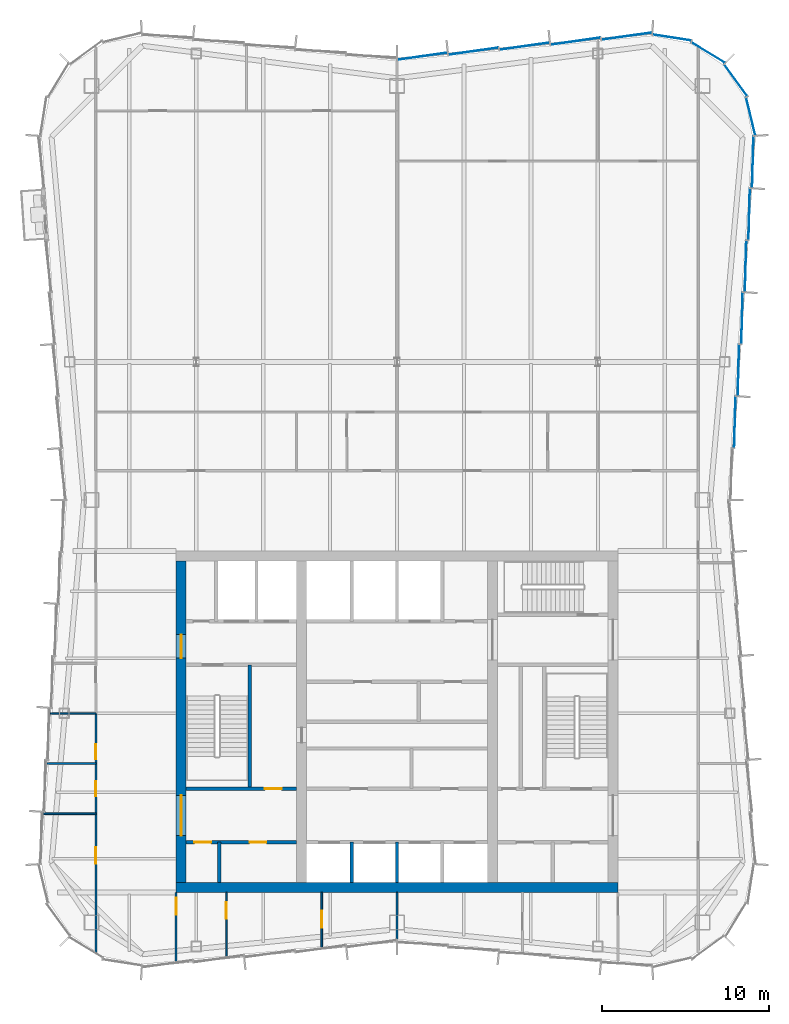
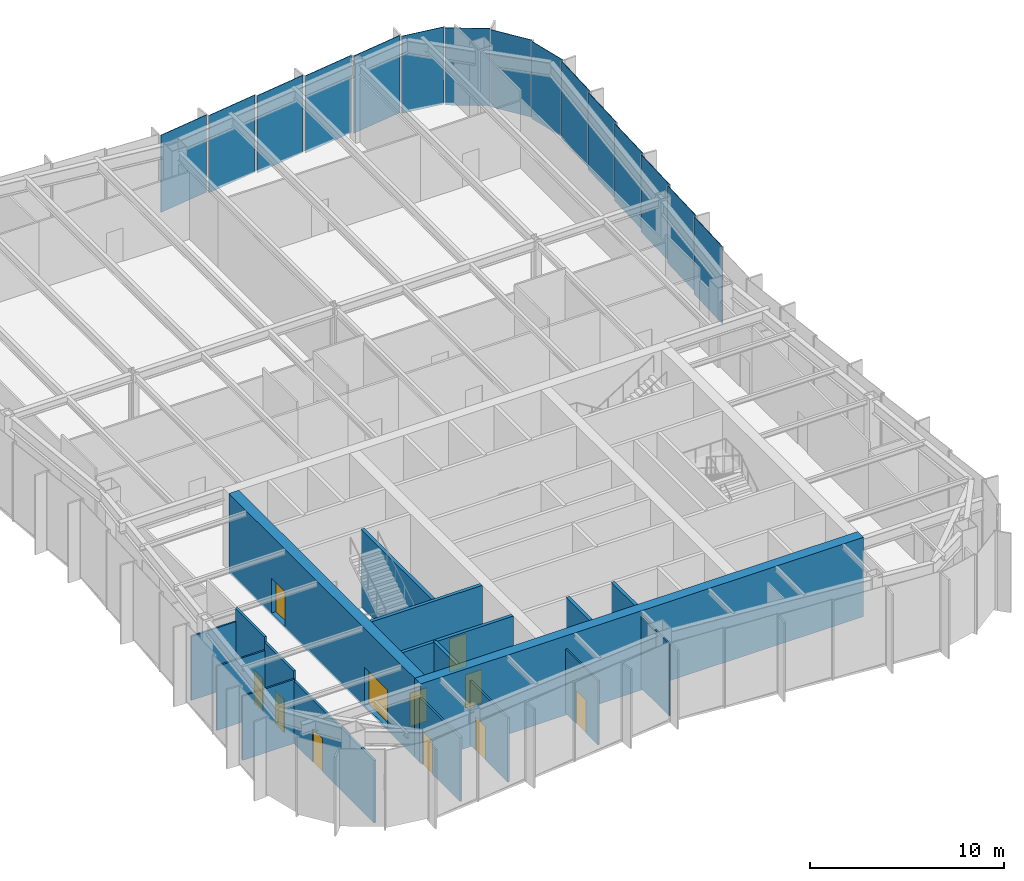
# One storey, part 9 of 14: 18 walls, 15 plates, 11 doors, 11 openings, 3 elements without a shape of their own.
"""IFC4 building model written with IfcOpenShell, lengths in metres."""

from ifc_helpers import new_model, si_unit, direction, frame, frame_2d, origin, origin_2d, place, context, subcontext, project, spatial, rectangle, extrude, material, layer, layer_set, type_object, element, fill, aggregate, save


model = new_model("IFC4")

# Units and contexts
model_context = context("Model", 3, precision=1e-05, world=origin(), true_north=direction((0.0, 1.0)))
body_context = subcontext(model_context, "Body", "Model", "MODEL_VIEW")
ifc_project = project(units=[si_unit("LENGTHUNIT", "METRE"), si_unit("AREAUNIT", "SQUARE_METRE"), si_unit("VOLUMEUNIT", "CUBIC_METRE"), si_unit("PLANEANGLEUNIT", "RADIAN"), si_unit("MASSUNIT", "GRAM", prefix="KILO")], contexts=[model_context])

# Site, building, storey
site_placement = place(None, origin())
site = spatial("IfcSite", under=ifc_project, at=site_placement, CompositionType="ELEMENT")
building_placement = place(site_placement, origin())
building = spatial("IfcBuilding", under=site, at=building_placement, Name="Verdant Reach Tower", CompositionType="ELEMENT")
storey_placement = place(building_placement, frame((0.0, 0.0, 289.0)))
storey = spatial("IfcBuildingStorey", under=building, at=storey_placement, Name="L66", CompositionType="ELEMENT", Elevation=289.0)

# Curtain wall, plates
ifc_material_1 = material(Name="Anodised aluminium", Category="aluminium")
curtain_wall_type = type_object("IfcCurtainWallType", Name="EN-CW SYSTEM Z5", PredefinedType="NOTDEFINED", material=ifc_material_1)
curtain_wall_1_placement = place(storey_placement, origin())
curtain_wall_1 = element("IfcCurtainWall", 1, at=curtain_wall_1_placement, inside=storey, type_object=curtain_wall_type, Name="Curtain wall east, L66", PredefinedType="NOTDEFINED")
ifc_material_2 = material(Name="Tinted glass with champagne spandrel", Category="glass")
ifc_layer_1 = layer(ifc_material_2, 0.031982421875)
ifc_layer_set_1 = layer_set([ifc_layer_1], Name="EN-PANEL CHAMPAGNE")
plate_type_1 = type_object("IfcPlateType", Name="EN-PANEL CHAMPAGNE", PredefinedType="CURTAIN_PANEL", material=ifc_layer_set_1)
plate_1_placement = place(storey_placement, frame((20.18603515625, 45.90283203125, -0.219970703125), z_axis=(0.0, 0.0, 1.0), x_axis=(0.026965318308, 0.999636369691, 0.0)))
plate_1 = element("IfcPlate", 2, at=plate_1_placement, type_object=plate_type_1, Name="Glass panel east face part 2 2.1, L66", PredefinedType="CURTAIN_PANEL", context=body_context, shape_type="SweptSolid", body=[
    extrude(rectangle(XDim=3.048583984375, YDim=0.031982421875, at=origin_2d()), origin(), (0.0, 0.0, 1.0), 4.8701171875),
])
plate_2_placement = place(storey_placement, frame((20.400390625, 49.010009765625, -0.219970703125), z_axis=(0.0, 0.0, 1.0), x_axis=(0.026965318308, 0.999636369691, 0.0)))
plate_2 = element("IfcPlate", 3, at=plate_2_placement, type_object=plate_type_1, Name="Glass panel east face part 2 3.1, L66", PredefinedType="CURTAIN_PANEL", context=body_context, shape_type="SweptSolid", body=[
    extrude(rectangle(XDim=3.048583984375, YDim=0.031982421875, at=origin_2d()), origin(), (0.0, 0.0, 1.0), 4.8701171875),
])
plate_3_placement = place(storey_placement, frame((20.61474609375, 52.1171875, -0.219970703125), z_axis=(0.0, 0.0, 1.0), x_axis=(0.026965318308, 0.999636369691, 0.0)))
plate_3 = element("IfcPlate", 4, at=plate_3_placement, type_object=plate_type_1, Name="Glass panel east face part 2 4.1, L66", PredefinedType="CURTAIN_PANEL", context=body_context, shape_type="SweptSolid", body=[
    extrude(rectangle(XDim=3.048583984375, YDim=0.031982421875, at=origin_2d()), origin(), (0.0, 0.0, 1.0), 4.8701171875),
])

curtain_wall_2_placement = place(storey_placement, origin())
curtain_wall_2 = element("IfcCurtainWall", 5, at=curtain_wall_2_placement, inside=storey, type_object=curtain_wall_type, Name="Curtain wall north-east corner, L66", PredefinedType="NOTDEFINED")
plate_4_placement = place(storey_placement, frame((21.132080078125, 64.173828125, -0.219970703125), z_axis=(0.0, 0.0, 1.0), x_axis=(-0.236471447122, 0.971638438256, 0.0)))
plate_4 = element("IfcPlate", 6, at=plate_4_placement, type_object=plate_type_1, Name="Glass panel north-east corner 1.1, L66", PredefinedType="CURTAIN_PANEL", context=body_context, shape_type="SweptSolid", body=[
    extrude(rectangle(XDim=2.312744140625, YDim=0.031982421875, at=origin_2d()), origin(), (0.0, 0.0, 1.0), 4.8701171875),
])
plate_5_placement = place(storey_placement, frame((20.23681640625, 66.33203125, -0.219970703125), z_axis=(0.0, 0.0, 1.0), x_axis=(-0.58992672698, 0.807456783236, 0.0)))
plate_5 = element("IfcPlate", 7, at=plate_5_placement, type_object=plate_type_1, Name="Glass panel north-east corner 2.1, L66", PredefinedType="CURTAIN_PANEL", context=body_context, shape_type="SweptSolid", body=[
    extrude(rectangle(XDim=2.320068359375, YDim=0.031982421875, at=origin_2d()), origin(), (0.0, 0.0, 1.0), 4.8701171875),
])

# Plate
ifc_material_3 = material(Name="Tinted glass with copper spandrel", Category="glass")
ifc_layer_2 = layer(ifc_material_3, 0.031982421875)
ifc_layer_set_2 = layer_set([ifc_layer_2], Name="EN-PANEL COPPER")
plate_type_2 = type_object("IfcPlateType", Name="EN-PANEL COPPER", PredefinedType="CURTAIN_PANEL", material=ifc_layer_set_2)
plate_6_placement = place(storey_placement, frame((20.8291015625, 55.22412109375, -0.219970703125), z_axis=(0.0, 0.0, 1.0), x_axis=(0.026965318308, 0.999636369691, 0.0)))
plate_6 = element("IfcPlate", 8, at=plate_6_placement, type_object=plate_type_2, Name="Glass panel east face part 2 5.1, L66", PredefinedType="CURTAIN_PANEL", context=body_context, shape_type="SweptSolid", body=[
    extrude(rectangle(XDim=3.048583984375, YDim=0.031982421875, at=origin_2d()), origin(), (0.0, 0.0, 1.0), 4.8701171875),
])

plate_7_placement = place(storey_placement, frame((21.043212890625, 58.331298828125, -0.219970703125), z_axis=(0.0, 0.0, 1.0), x_axis=(0.026965318308, 0.999636369691, 0.0)))
plate_7 = element("IfcPlate", 9, at=plate_7_placement, type_object=plate_type_2, Name="Glass panel east face part 2 6.1, L66", PredefinedType="CURTAIN_PANEL", context=body_context, shape_type="SweptSolid", body=[
    extrude(rectangle(XDim=3.048583984375, YDim=0.031982421875, at=origin_2d()), origin(), (0.0, 0.0, 1.0), 4.8701171875),
])

plate_8_placement = place(storey_placement, frame((18.58203125, 67.98681640625, -0.219970703125), z_axis=(0.0, 0.0, 1.0), x_axis=(-0.853988714885, 0.520291528711, 0.0)))
plate_8 = element("IfcPlate", 10, at=plate_8_placement, type_object=plate_type_2, Name="Glass panel north-east corner 3.1, L66", PredefinedType="CURTAIN_PANEL", context=body_context, shape_type="SweptSolid", body=[
    extrude(rectangle(XDim=2.320068359375, YDim=0.031982421875, at=origin_2d()), origin(), (0.0, 0.0, 1.0), 4.8701171875),
])

plate_9_placement = place(storey_placement, frame((16.4228515625, 68.88232421875, -0.219970703125), z_axis=(0.0, 0.0, 1.0), x_axis=(-0.988033409454, 0.154240013621, 0.0)))
plate_9 = element("IfcPlate", 11, at=plate_9_placement, type_object=plate_type_2, Name="Glass panel north-east corner 4.1, L66", PredefinedType="CURTAIN_PANEL", context=body_context, shape_type="SweptSolid", body=[
    extrude(rectangle(XDim=2.314453125, YDim=0.031982421875, at=origin_2d()), origin(), (0.0, 0.0, 1.0), 4.8701171875),
])

aggregate(curtain_wall_2, [plate_4, plate_5, plate_8, plate_9])

# Curtain wall, plates
curtain_wall_3_placement = place(storey_placement, origin())
curtain_wall_3 = element("IfcCurtainWall", 12, at=curtain_wall_3_placement, inside=storey, type_object=curtain_wall_type, Name="Curtain wall north, L66", PredefinedType="NOTDEFINED")
plate_10_placement = place(storey_placement, frame((13.72216796875, 68.964599609375, -0.219970703125), z_axis=(0.0, 0.0, 1.0), x_axis=(-0.990281521639, -0.139077345032, 0.0)))
plate_10 = element("IfcPlate", 13, at=plate_10_placement, type_object=plate_type_2, Name="Glass panel north face part 1 1.1, L66", PredefinedType="CURTAIN_PANEL", context=body_context, shape_type="SweptSolid", body=[
    extrude(rectangle(XDim=3.015625, YDim=0.031982421875, at=origin_2d()), origin(), (0.0, 0.0, 1.0), 4.8701171875),
])
plate_11_placement = place(storey_placement, frame((10.663818359375, 68.66455078125, -0.219970703125), z_axis=(0.0, 0.0, 1.0), x_axis=(-0.990225318365, -0.139476947446, 0.0)))
plate_11 = element("IfcPlate", 14, at=plate_11_placement, type_object=plate_type_2, Name="Glass panel north face part 1 2.1, L66", PredefinedType="CURTAIN_PANEL", context=body_context, shape_type="SweptSolid", body=[
    extrude(rectangle(XDim=2.998779296875, YDim=0.031982421875, at=origin_2d()), origin(), (0.0, 0.0, 1.0), 4.8701171875),
])
plate_12_placement = place(storey_placement, frame((7.61376953125, 68.364501953125, -0.219970703125), z_axis=(0.0, 0.0, 1.0), x_axis=(-0.990225318365, -0.139476947446, 0.0)))
plate_12 = element("IfcPlate", 15, at=plate_12_placement, type_object=plate_type_2, Name="Glass panel north face part 1 3.1, L66", PredefinedType="CURTAIN_PANEL", context=body_context, shape_type="SweptSolid", body=[
    extrude(rectangle(XDim=2.998779296875, YDim=0.031982421875, at=origin_2d()), origin(), (0.0, 0.0, 1.0), 4.8701171875),
])

# Plate
ifc_material_4 = material(Name="Tinted glass with dark bronze spandrel", Category="glass")
ifc_layer_3 = layer(ifc_material_4, 0.031982421875)
ifc_layer_set_3 = layer_set([ifc_layer_3], Name="EN-PANEL DARK")
plate_type_3 = type_object("IfcPlateType", Name="EN-PANEL DARK", PredefinedType="CURTAIN_PANEL", material=ifc_layer_set_3)
plate_13_placement = place(storey_placement, frame((21.257568359375, 61.446044921875, -0.219970703125), z_axis=(0.0, 0.0, 1.0), x_axis=(0.026642881595, 0.999645015423, 0.0)))
plate_13 = element("IfcPlate", 16, at=plate_13_placement, type_object=plate_type_3, Name="Glass panel east face part 2 7.1, L66", PredefinedType="CURTAIN_PANEL", context=body_context, shape_type="SweptSolid", body=[
    extrude(rectangle(XDim=3.063720703125, YDim=0.031982421875, at=origin_2d()), origin(), (0.0, 0.0, 1.0), 4.8701171875),
])

aggregate(curtain_wall_1, [plate_1, plate_2, plate_3, plate_6, plate_7, plate_13])

plate_14_placement = place(storey_placement, frame((4.563720703125, 68.064453125, -0.219970703125), z_axis=(0.0, 0.0, 1.0), x_axis=(-0.990225318365, -0.139476947446, 0.0)))
plate_14 = element("IfcPlate", 17, at=plate_14_placement, type_object=plate_type_3, Name="Glass panel north face part 1 4.1, L66", PredefinedType="CURTAIN_PANEL", context=body_context, shape_type="SweptSolid", body=[
    extrude(rectangle(XDim=2.998779296875, YDim=0.031982421875, at=origin_2d()), origin(), (0.0, 0.0, 1.0), 4.8701171875),
])

plate_15_placement = place(storey_placement, frame((1.519287109375, 67.7646484375, -0.219970703125), z_axis=(0.0, 0.0, 1.0), x_axis=(-0.990200074141, -0.139656053116, 0.0)))
plate_15 = element("IfcPlate", 18, at=plate_15_placement, type_object=plate_type_3, Name="Glass panel north face part 1 5.1, L66", PredefinedType="CURTAIN_PANEL", context=body_context, shape_type="SweptSolid", body=[
    extrude(rectangle(XDim=2.987548828125, YDim=0.031982421875, at=origin_2d()), origin(), (0.0, 0.0, 1.0), 4.8701171875),
])

aggregate(curtain_wall_3, [plate_10, plate_11, plate_12, plate_14, plate_15])

# Wall, openings, doors
ifc_material_5 = material(Name="Gypsum board on steel studs", Category="steel")
ifc_layer_4 = layer(ifc_material_5, 0.199951171875)
ifc_layer_set_4 = layer_set([ifc_layer_4], Name="CO-WALL-ROOM")
wall_type_1 = type_object("IfcWallType", Name="CO-WALL-ROOM", PredefinedType="PARTITIONING", material=ifc_layer_set_4)
wall_1_placement = place(storey_placement, frame((-12.60009765625, 20.800048828125, 0.0), z_axis=(0.0, 0.0, 1.0), x_axis=(1.0, 0.0, 0.0)))
wall_1 = element("IfcWall", 19, at=wall_1_placement, inside=storey, type_object=wall_type_1, Name="Core partition, L66", PredefinedType="PARTITIONING", context=body_context, shape_type="SweptSolid", body=[
    extrude(rectangle(XDim=6.60009765625, YDim=0.199951171875, at=frame_2d((3.300048828125, 0.0))), origin(), (0.0, 0.0, 1.0), 4.8701171875),
])
opening_1_placement = place(wall_1_placement, frame((0.489990234375, 0.0, 0.0)))
opening_1 = element("IfcOpeningElement", 20, at=opening_1_placement, cuts=wall_1, Name="Opening CD", PredefinedType="OPENING", context=body_context, shape_type="SweptSolid", body=[
    extrude(rectangle(XDim=1.0, YDim=2.10009765625, at=frame_2d((0.5, 1.050048828125))), frame((0.0, 0.10986328125, 0.0), z_axis=(0.0, -1.0, 0.0), x_axis=(1.0, 0.0, 0.0)), (0.0, 0.0, 1.0), 0.219970703125),
])
opening_2_placement = place(wall_1_placement, frame((3.7900390625, 0.0, 0.0)))
opening_2 = element("IfcOpeningElement", 21, at=opening_2_placement, cuts=wall_1, Name="Opening CD", PredefinedType="OPENING", context=body_context, shape_type="SweptSolid", body=[
    extrude(rectangle(XDim=1.0, YDim=2.10009765625, at=frame_2d((0.5, 1.050048828125))), frame((0.0, 0.10986328125, 0.0), z_axis=(0.0, -1.0, 0.0), x_axis=(1.0, 0.0, 0.0)), (0.0, 0.0, 1.0), 0.219970703125),
])
ifc_material_6 = material(Name="Timber", Category="wood")
door_type_1 = type_object("IfcDoorType", Name="CO-DOOR-ROOM", OperationType="NOTDEFINED", PredefinedType="DOOR", material=ifc_material_6)
door_1_placement = place(opening_1_placement, origin())
door_1 = element("IfcDoor", 22, at=door_1_placement, inside=storey, type_object=door_type_1, Name="Core room door, L66", OperationType="SINGLE_SWING_RIGHT", OverallHeight=2.10009765625, OverallWidth=1.0, PredefinedType="DOOR", context=body_context, shape_type="SweptSolid", body=[
    extrude(rectangle(XDim=1.0, YDim=2.10009765625, at=frame_2d((0.5, 1.050048828125))), frame((0.0, 0.02490234375, 0.0), z_axis=(0.0, -1.0, 0.0), x_axis=(1.0, 0.0, 0.0)), (0.0, 0.0, 1.0), 0.050048828125),
])
fill(opening_1, door_1)
door_2_placement = place(opening_2_placement, origin())
door_2 = element("IfcDoor", 23, at=door_2_placement, inside=storey, type_object=door_type_1, Name="Core room door, L66", OperationType="SINGLE_SWING_RIGHT", OverallHeight=2.10009765625, OverallWidth=1.0, PredefinedType="DOOR", context=body_context, shape_type="SweptSolid", body=[
    extrude(rectangle(XDim=1.0, YDim=2.10009765625, at=frame_2d((0.5, 1.050048828125))), frame((0.0, 0.02490234375, 0.0), z_axis=(0.0, -1.0, 0.0), x_axis=(1.0, 0.0, 0.0)), (0.0, 0.0, 1.0), 0.050048828125),
])
fill(opening_2, door_2)

# Walls
wall_2_placement = place(storey_placement, frame((-10.6201171875, 18.39990234375, 0.0), z_axis=(0.0, 0.0, 1.0), x_axis=(0.0, 1.0, 0.0)))
element("IfcWall", 24, at=wall_2_placement, inside=storey, type_object=wall_type_1, Name="Core partition, L66", PredefinedType="PARTITIONING", context=body_context, shape_type="SweptSolid", body=[
    extrude(rectangle(XDim=2.400146484375, YDim=0.199951171875, at=frame_2d((1.2001953125, 0.0))), origin(), (0.0, 0.0, 1.0), 4.8701171875),
])
ifc_material_7 = material(Name="Concrete C40/50", Category="concrete")
ifc_layer_5 = layer(ifc_material_7, 0.199951171875)
ifc_layer_set_5 = layer_set([ifc_layer_5], Name="CO-WALL-SHAFT")
wall_type_2 = type_object("IfcWallType", Name="CO-WALL-SHAFT", PredefinedType="PARTITIONING", material=ifc_layer_set_5)
for number, where, z_axis, x_axis, name in (
    (25, (-2.699951171875, 18.39990234375, 0.0), (0.0, 0.0, 1.0), (0.0, 1.0, 0.0), "Lift shaft wall, L66"),
    (26, (0.0, 18.39990234375, 0.0), (0.0, 0.0, 1.0), (0.0, 1.0, 0.0), "Lift shaft wall, L66"),
):
    element("IfcWall", number, at=place(storey_placement, frame(where, z_axis=z_axis, x_axis=x_axis)), inside=storey, type_object=wall_type_2, Name=name, PredefinedType="PARTITIONING", context=body_context, shape_type="SweptSolid", body=[
        extrude(rectangle(XDim=2.400146484375, YDim=0.199951171875, at=frame_2d((1.2001953125, 0.0))), origin(), (0.0, 0.0, 1.0), 4.8701171875),
    ])

# Wall, opening, door
ifc_layer_6 = layer(ifc_material_7, 0.199951171875)
ifc_layer_set_6 = layer_set([ifc_layer_6], Name="CO-WALL-STAIR")
wall_type_3 = type_object("IfcWallType", Name="CO-WALL-STAIR", PredefinedType="PARTITIONING", material=ifc_layer_set_6)
wall_3_placement = place(storey_placement, frame((-12.60009765625, 24.0, 0.0), z_axis=(0.0, 0.0, 1.0), x_axis=(1.0, 0.0, 0.0)))
wall_3 = element("IfcWall", 27, at=wall_3_placement, inside=storey, type_object=wall_type_3, Name="Stair enclosure wall, L66", PredefinedType="PARTITIONING", context=body_context, shape_type="SweptSolid", body=[
    extrude(rectangle(XDim=6.60009765625, YDim=0.199951171875, at=frame_2d((3.300048828125, 0.0))), origin(), (0.0, 0.0, 1.0), 4.8701171875),
])
opening_3_placement = place(wall_3_placement, frame((4.699951171875, 0.0, 0.0)))
opening_3 = element("IfcOpeningElement", 28, at=opening_3_placement, cuts=wall_3, Name="Opening CD", PredefinedType="OPENING", context=body_context, shape_type="SweptSolid", body=[
    extrude(rectangle(XDim=1.0, YDim=2.10009765625, at=frame_2d((0.5, 1.050048828125))), frame((0.0, 0.10986328125, 0.0), z_axis=(0.0, -1.0, 0.0), x_axis=(1.0, 0.0, 0.0)), (0.0, 0.0, 1.0), 0.219970703125),
])
door_3_placement = place(opening_3_placement, origin())
door_3 = element("IfcDoor", 29, at=door_3_placement, inside=storey, type_object=door_type_1, Name="Core room door, L66", OperationType="SINGLE_SWING_RIGHT", OverallHeight=2.10009765625, OverallWidth=1.0, PredefinedType="DOOR", context=body_context, shape_type="SweptSolid", body=[
    extrude(rectangle(XDim=1.0, YDim=2.10009765625, at=frame_2d((0.5, 1.050048828125))), frame((0.0, 0.02490234375, 0.0), z_axis=(0.0, -1.0, 0.0), x_axis=(1.0, 0.0, 0.0)), (0.0, 0.0, 1.0), 0.050048828125),
])
fill(opening_3, door_3)

# Walls
wall_4_placement = place(storey_placement, frame((-8.800048828125, 24.0, 0.0), z_axis=(0.0, 0.0, 1.0), x_axis=(0.0, 1.0, 0.0)))
element("IfcWall", 30, at=wall_4_placement, inside=storey, type_object=wall_type_3, Name="Stair enclosure wall, L66", PredefinedType="PARTITIONING", context=body_context, shape_type="SweptSolid", body=[
    extrude(rectangle(XDim=7.39990234375, YDim=0.199951171875, at=frame_2d((3.699951171875, 0.0))), origin(), (0.0, 0.0, 1.0), 4.8701171875),
])
ifc_layer_7 = layer(ifc_material_5, 0.10009765625)
ifc_layer_set_7 = layer_set([ifc_layer_7], Name="FL-W1 Partition 100")
wall_type_4 = type_object("IfcWallType", Name="FL-W1 Partition 100", PredefinedType="PARTITIONING", material=ifc_layer_set_7)
wall_5_placement = place(storey_placement, frame((-18.0, 22.5, 0.0), z_axis=(0.0, 0.0, 1.0), x_axis=(-1.0, 0.0, 0.0)))
element("IfcWall", 31, at=wall_5_placement, inside=storey, type_object=wall_type_4, Name="Partition 66.17", PredefinedType="PARTITIONING", context=body_context, shape_type="SweptSolid", body=[
    extrude(rectangle(XDim=3.123046875, YDim=0.10009765625, at=frame_2d((1.5615234375, 0.0))), origin(), (0.0, 0.0, 1.0), 4.0400390625),
])
wall_6_placement = place(storey_placement, frame((-18.0, 25.5, 0.0), z_axis=(0.0, 0.0, 1.0), x_axis=(-1.0, 0.0, 0.0)))
element("IfcWall", 32, at=wall_6_placement, inside=storey, type_object=wall_type_4, Name="Partition 66.18", PredefinedType="PARTITIONING", context=body_context, shape_type="SweptSolid", body=[
    extrude(rectangle(XDim=2.916259765625, YDim=0.10009765625, at=frame_2d((1.4580078125, 0.0))), origin(), (0.0, 0.0, 1.0), 4.0400390625),
])
wall_7_placement = place(storey_placement, frame((-18.0, 28.5, 0.0), z_axis=(0.0, 0.0, 1.0), x_axis=(-1.0, 0.0, 0.0)))
element("IfcWall", 33, at=wall_7_placement, inside=storey, type_object=wall_type_4, Name="Partition 66.19", PredefinedType="PARTITIONING", context=body_context, shape_type="SweptSolid", body=[
    extrude(rectangle(XDim=2.709228515625, YDim=0.10009765625, at=frame_2d((1.3544921875, 0.0))), origin(), (0.0, 0.0, 1.0), 4.0400390625),
])

# Wall, opening, door
wall_8_placement = place(storey_placement, frame((-10.199951171875, 17.800048828125, 0.0), z_axis=(0.0, 0.0, 1.0), x_axis=(0.0, -1.0, 0.0)))
wall_8 = element("IfcWall", 34, at=wall_8_placement, inside=storey, type_object=wall_type_4, Name="Partition 66.29", PredefinedType="PARTITIONING", context=body_context, shape_type="SweptSolid", body=[
    extrude(rectangle(XDim=3.88330078125, YDim=0.10009765625, at=frame_2d((1.941650390625, 0.0))), origin(), (0.0, 0.0, 1.0), 4.0400390625),
])
opening_4_placement = place(wall_8_placement, frame((0.576416015625, 0.0, 0.0)))
opening_4 = element("IfcOpeningElement", 35, at=opening_4_placement, cuts=wall_8, Name="Opening D3", PredefinedType="OPENING", context=body_context, shape_type="SweptSolid", body=[
    extrude(rectangle(XDim=1.0, YDim=2.10009765625, at=frame_2d((0.5, 1.050048828125))), frame((0.0, 0.06005859375, 0.0), z_axis=(0.0, -1.0, 0.0), x_axis=(1.0, 0.0, 0.0)), (0.0, 0.0, 1.0), 0.1201171875),
])
ifc_material_8 = material(Name="Painted timber door leaf", Category="wood")
door_type_2 = type_object("IfcDoorType", Name="FL-D3 Door 1000x2100", OperationType="NOTDEFINED", PredefinedType="DOOR", material=ifc_material_8)
door_4_placement = place(opening_4_placement, origin())
door_4 = element("IfcDoor", 36, at=door_4_placement, inside=storey, type_object=door_type_2, Name="Door 66-015", OperationType="SINGLE_SWING_LEFT", OverallHeight=2.10009765625, OverallWidth=1.0, PredefinedType="DOOR", context=body_context, shape_type="SweptSolid", body=[
    extrude(rectangle(XDim=1.0, YDim=2.10009765625, at=frame_2d((0.5, 1.050048828125))), frame((0.0, 0.02490234375, 0.0), z_axis=(0.0, -1.0, 0.0), x_axis=(1.0, 0.0, 0.0)), (0.0, 0.0, 1.0), 0.050048828125),
])
fill(opening_4, door_4)

wall_9_placement = place(storey_placement, frame((-4.5, 17.800048828125, 0.0), z_axis=(0.0, 0.0, 1.0), x_axis=(0.0, -1.0, 0.0)))
wall_9 = element("IfcWall", 37, at=wall_9_placement, inside=storey, type_object=wall_type_4, Name="Partition 66.30", PredefinedType="PARTITIONING", context=body_context, shape_type="SweptSolid", body=[
    extrude(rectangle(XDim=3.32275390625, YDim=0.10009765625, at=frame_2d((1.661376953125, 0.0))), origin(), (0.0, 0.0, 1.0), 4.0400390625),
])
opening_5_placement = place(wall_9_placement, frame((1.09619140625, 0.0, 0.0)))
opening_5 = element("IfcOpeningElement", 38, at=opening_5_placement, cuts=wall_9, Name="Opening D3", PredefinedType="OPENING", context=body_context, shape_type="SweptSolid", body=[
    extrude(rectangle(XDim=1.0, YDim=2.10009765625, at=frame_2d((0.5, 1.050048828125))), frame((0.0, 0.06005859375, 0.0), z_axis=(0.0, -1.0, 0.0), x_axis=(1.0, 0.0, 0.0)), (0.0, 0.0, 1.0), 0.1201171875),
])
door_5_placement = place(opening_5_placement, origin())
door_5 = element("IfcDoor", 39, at=door_5_placement, inside=storey, type_object=door_type_2, Name="Door 66-016", OperationType="SINGLE_SWING_LEFT", OverallHeight=2.10009765625, OverallWidth=1.0, PredefinedType="DOOR", context=body_context, shape_type="SweptSolid", body=[
    extrude(rectangle(XDim=1.0, YDim=2.10009765625, at=frame_2d((0.5, 1.050048828125))), frame((0.0, 0.02490234375, 0.0), z_axis=(0.0, -1.0, 0.0), x_axis=(1.0, 0.0, 0.0)), (0.0, 0.0, 1.0), 0.050048828125),
])
fill(opening_5, door_5)

# Wall
wall_10_placement = place(storey_placement, frame((0.0, 14.919921875, 0.0), z_axis=(0.0, 0.0, 1.0), x_axis=(0.0, 1.0, 0.0)))
element("IfcWall", 40, at=wall_10_placement, inside=storey, type_object=wall_type_4, Name="Partition 66.31", PredefinedType="PARTITIONING", context=body_context, shape_type="SweptSolid", body=[
    extrude(rectangle(XDim=2.880126953125, YDim=0.10009765625, at=frame_2d((1.43994140625, 0.0))), origin(), (0.0, 0.0, 1.0), 4.5400390625),
])

# Wall, opening, door
ifc_material_9 = material(Name="Gypsum board on steel studs, fire rated", Category="steel")
ifc_layer_8 = layer(ifc_material_9, 0.125)
ifc_layer_set_8 = layer_set([ifc_layer_8], Name="FL-W2 Corridor wall 125")
wall_type_5 = type_object("IfcWallType", Name="FL-W2 Corridor wall 125", PredefinedType="PARTITIONING", material=ifc_layer_set_8)
wall_11_placement = place(storey_placement, frame((-18.0, 14.179931640625, 0.0), z_axis=(0.0, 0.0, 1.0), x_axis=(0.0, 1.0, 0.0)))
wall_11 = element("IfcWall", 41, at=wall_11_placement, inside=storey, type_object=wall_type_5, Name="Partition 66.01", PredefinedType="PARTITIONING", context=body_context, shape_type="SweptSolid", body=[
    extrude(rectangle(XDim=8.320068359375, YDim=0.125, at=frame_2d((4.16015625, 0.0))), origin(), (0.0, 0.0, 1.0), 3.929931640625),
])
opening_6_placement = place(wall_11_placement, frame((5.330078125, 0.0, 0.0)))
opening_6 = element("IfcOpeningElement", 42, at=opening_6_placement, cuts=wall_11, Name="Opening D2", PredefinedType="OPENING", context=body_context, shape_type="SweptSolid", body=[
    extrude(rectangle(XDim=1.0, YDim=2.10009765625, at=frame_2d((0.5, 1.050048828125))), frame((0.0, 0.072509765625, 0.0), z_axis=(0.0, -1.0, 0.0), x_axis=(1.0, 0.0, 0.0)), (0.0, 0.0, 1.0), 0.14501953125),
])
ifc_material_10 = material(Name="Timber door leaf, fire rated", Category="wood")
door_type_3 = type_object("IfcDoorType", Name="FL-D2 Entrance door 1000x2100 FD30", OperationType="NOTDEFINED", PredefinedType="DOOR", material=ifc_material_10)
door_6_placement = place(opening_6_placement, origin())
door_6 = element("IfcDoor", 43, at=door_6_placement, inside=storey, type_object=door_type_3, Name="Door 66-001", OperationType="SINGLE_SWING_RIGHT", OverallHeight=2.10009765625, OverallWidth=1.0, PredefinedType="DOOR", context=body_context, shape_type="SweptSolid", body=[
    extrude(rectangle(XDim=1.0, YDim=2.10009765625, at=frame_2d((0.5, 1.050048828125))), frame((0.0, 0.02490234375, 0.0), z_axis=(0.0, -1.0, 0.0), x_axis=(1.0, 0.0, 0.0)), (0.0, 0.0, 1.0), 0.050048828125),
])
fill(opening_6, door_6)

wall_12_placement = place(storey_placement, frame((-18.0, 22.5, 0.0), z_axis=(0.0, 0.0, 1.0), x_axis=(0.0, 1.0, 0.0)))
wall_12 = element("IfcWall", 44, at=wall_12_placement, inside=storey, type_object=wall_type_5, Name="Partition 66.02", PredefinedType="PARTITIONING", context=body_context, shape_type="SweptSolid", body=[
    extrude(rectangle(XDim=3.0, YDim=0.125, at=frame_2d((1.5, 0.0))), origin(), (0.0, 0.0, 1.0), 4.5400390625),
])
opening_7_placement = place(wall_12_placement, frame((1.050048828125, 0.0, 0.0)))
opening_7 = element("IfcOpeningElement", 45, at=opening_7_placement, cuts=wall_12, Name="Opening D1", PredefinedType="OPENING", context=body_context, shape_type="SweptSolid", body=[
    extrude(rectangle(XDim=0.89990234375, YDim=2.10009765625, at=frame_2d((0.449951171875, 1.050048828125))), frame((0.0, 0.072509765625, 0.0), z_axis=(0.0, -1.0, 0.0), x_axis=(1.0, 0.0, 0.0)), (0.0, 0.0, 1.0), 0.14501953125),
])
door_type_4 = type_object("IfcDoorType", Name="FL-D1 Door 900x2100", OperationType="NOTDEFINED", PredefinedType="DOOR", material=ifc_material_8)
door_7_placement = place(opening_7_placement, origin())
door_7 = element("IfcDoor", 46, at=door_7_placement, inside=storey, type_object=door_type_4, Name="Door 66-002", OperationType="SINGLE_SWING_RIGHT", OverallHeight=2.10009765625, OverallWidth=0.89990234375, PredefinedType="DOOR", context=body_context, shape_type="SweptSolid", body=[
    extrude(rectangle(XDim=0.89990234375, YDim=2.10009765625, at=frame_2d((0.449951171875, 1.050048828125))), frame((0.0, 0.02490234375, 0.0), z_axis=(0.0, -1.0, 0.0), x_axis=(1.0, 0.0, 0.0)), (0.0, 0.0, 1.0), 0.050048828125),
])
fill(opening_7, door_7)

wall_13_placement = place(storey_placement, frame((-18.0, 25.5, 0.0), z_axis=(0.0, 0.0, 1.0), x_axis=(0.0, 1.0, 0.0)))
wall_13 = element("IfcWall", 47, at=wall_13_placement, inside=storey, type_object=wall_type_5, Name="Partition 66.03", PredefinedType="PARTITIONING", context=body_context, shape_type="SweptSolid", body=[
    extrude(rectangle(XDim=3.0, YDim=0.125, at=frame_2d((1.5, 0.0))), origin(), (0.0, 0.0, 1.0), 4.8701171875),
])
opening_8_placement = place(wall_13_placement, frame((0.25, 0.0, 0.0)))
opening_8 = element("IfcOpeningElement", 48, at=opening_8_placement, cuts=wall_13, Name="Opening D1", PredefinedType="OPENING", context=body_context, shape_type="SweptSolid", body=[
    extrude(rectangle(XDim=0.89990234375, YDim=2.10009765625, at=frame_2d((0.449951171875, 1.050048828125))), frame((0.0, 0.072509765625, 0.0), z_axis=(0.0, -1.0, 0.0), x_axis=(1.0, 0.0, 0.0)), (0.0, 0.0, 1.0), 0.14501953125),
])
door_8_placement = place(opening_8_placement, origin())
door_8 = element("IfcDoor", 49, at=door_8_placement, inside=storey, type_object=door_type_4, Name="Door 66-003", OperationType="SINGLE_SWING_LEFT", OverallHeight=2.10009765625, OverallWidth=0.89990234375, PredefinedType="DOOR", context=body_context, shape_type="SweptSolid", body=[
    extrude(rectangle(XDim=0.89990234375, YDim=2.10009765625, at=frame_2d((0.449951171875, 1.050048828125))), frame((0.0, 0.02490234375, 0.0), z_axis=(0.0, -1.0, 0.0), x_axis=(1.0, 0.0, 0.0)), (0.0, 0.0, 1.0), 0.050048828125),
])
fill(opening_8, door_8)

wall_14_placement = place(storey_placement, frame((-13.199951171875, 17.800048828125, 0.0), z_axis=(0.0, 0.0, 1.0), x_axis=(0.0, -1.0, 0.0)))
wall_14 = element("IfcWall", 50, at=wall_14_placement, inside=storey, type_object=wall_type_5, Name="Partition 66.09", PredefinedType="PARTITIONING", context=body_context, shape_type="SweptSolid", body=[
    extrude(rectangle(XDim=4.178466796875, YDim=0.125, at=frame_2d((2.08935546875, 0.0))), origin(), (0.0, 0.0, 1.0), 4.0400390625),
])
opening_9_placement = place(wall_14_placement, frame((0.32421875, 0.0, 0.0)))
opening_9 = element("IfcOpeningElement", 51, at=opening_9_placement, cuts=wall_14, Name="Opening D2", PredefinedType="OPENING", context=body_context, shape_type="SweptSolid", body=[
    extrude(rectangle(XDim=1.0, YDim=2.10009765625, at=frame_2d((0.5, 1.050048828125))), frame((0.0, 0.072509765625, 0.0), z_axis=(0.0, -1.0, 0.0), x_axis=(1.0, 0.0, 0.0)), (0.0, 0.0, 1.0), 0.14501953125),
])
door_9_placement = place(opening_9_placement, origin())
door_9 = element("IfcDoor", 52, at=door_9_placement, inside=storey, type_object=door_type_3, Name="Door 66-009", OperationType="SINGLE_SWING_LEFT", OverallHeight=2.10009765625, OverallWidth=1.0, PredefinedType="DOOR", context=body_context, shape_type="SweptSolid", body=[
    extrude(rectangle(XDim=1.0, YDim=2.10009765625, at=frame_2d((0.5, 1.050048828125))), frame((0.0, 0.02490234375, 0.0), z_axis=(0.0, -1.0, 0.0), x_axis=(1.0, 0.0, 0.0)), (0.0, 0.0, 1.0), 0.050048828125),
])
fill(opening_9, door_9)

# Wall
ifc_material_11 = material(Name="Concrete C70/85", Category="concrete")
ifc_layer_9 = layer(ifc_material_11, 0.60009765625)
ifc_layer_set_9 = layer_set([ifc_layer_9], Name="ST-CORE-WALL-600")
wall_type_6 = type_object("IfcWallType", Name="ST-CORE-WALL-600", PredefinedType="SHEAR", material=ifc_layer_set_9)
wall_15_placement = place(storey_placement, frame((-13.199951171875, 18.10009765625, -0.1298828125), z_axis=(0.0, 0.0, 1.0), x_axis=(1.0, 0.0, 0.0)))
element("IfcWall", 53, at=wall_15_placement, inside=storey, type_object=wall_type_6, Name="Core wall S, L66", PredefinedType="SHEAR", context=body_context, shape_type="SweptSolid", body=[
    extrude(rectangle(XDim=26.39990234375, YDim=0.60009765625, at=frame_2d((13.199951171875, 0.0))), origin(), (0.0, 0.0, 1.0), 5.0),
])

# Wall, openings, doors
wall_16_placement = place(storey_placement, frame((-12.89990234375, 18.39990234375, -0.1298828125), z_axis=(0.0, 0.0, 1.0), x_axis=(0.0, 1.0, 0.0)))
wall_16 = element("IfcWall", 54, at=wall_16_placement, inside=storey, type_object=wall_type_6, Name="Core wall W, L66", PredefinedType="SHEAR", context=body_context, shape_type="SweptSolid", body=[
    extrude(rectangle(XDim=19.2001953125, YDim=0.60009765625, at=frame_2d((9.60009765625, 0.0))), origin(), (0.0, 0.0, 1.0), 5.0),
])
opening_10_placement = place(wall_16_placement, frame((2.800048828125, 0.0, 0.1298828125)))
opening_10 = element("IfcOpeningElement", 55, at=opening_10_placement, cuts=wall_16, Name="Opening LB", PredefinedType="OPENING", context=body_context, shape_type="SweptSolid", body=[
    extrude(rectangle(XDim=2.39990234375, YDim=2.39990234375, at=frame_2d((1.199951171875, 1.199951171875))), frame((0.0, 0.31005859375, 0.0), z_axis=(0.0, -1.0, 0.0), x_axis=(1.0, 0.0, 0.0)), (0.0, 0.0, 1.0), 0.6201171875),
])
opening_11_placement = place(wall_16_placement, frame((13.39990234375, 0.0, 0.1298828125)))
opening_11 = element("IfcOpeningElement", 56, at=opening_11_placement, cuts=wall_16, Name="Opening FL", PredefinedType="OPENING", context=body_context, shape_type="SweptSolid", body=[
    extrude(rectangle(XDim=1.39990234375, YDim=2.199951171875, at=frame_2d((0.699951171875, 1.10009765625))), frame((0.0, 0.31005859375, 0.0), z_axis=(0.0, -1.0, 0.0), x_axis=(1.0, 0.0, 0.0)), (0.0, 0.0, 1.0), 0.6201171875),
])
ifc_material_12 = material(Name="Steel", Category="steel")
door_type_5 = type_object("IfcDoorType", Name="CO-DOOR-FFL", OperationType="NOTDEFINED", PredefinedType="DOOR", material=ifc_material_12)
door_10_placement = place(opening_11_placement, origin())
door_10 = element("IfcDoor", 57, at=door_10_placement, inside=storey, type_object=door_type_5, Name="Core entrance door, L66", OperationType="SINGLE_SWING_LEFT", OverallHeight=2.199951171875, OverallWidth=1.39990234375, PredefinedType="DOOR", context=body_context, shape_type="SweptSolid", body=[
    extrude(rectangle(XDim=1.39990234375, YDim=2.199951171875, at=frame_2d((0.699951171875, 1.10009765625))), frame((0.0, 0.02490234375, 0.0), z_axis=(0.0, -1.0, 0.0), x_axis=(1.0, 0.0, 0.0)), (0.0, 0.0, 1.0), 0.050048828125),
])
fill(opening_11, door_10)
ifc_material_13 = material(Name="Glass and steel", Category="steel")
door_type_6 = type_object("IfcDoorType", Name="CO-DOOR-LOBBY", OperationType="DOUBLE_DOOR_SINGLE_SWING", PredefinedType="DOOR", material=ifc_material_13)
door_11_placement = place(opening_10_placement, origin())
door_11 = element("IfcDoor", 58, at=door_11_placement, inside=storey, type_object=door_type_6, Name="Core entrance door, L66", OperationType="DOUBLE_DOOR_SINGLE_SWING", OverallHeight=2.39990234375, OverallWidth=2.39990234375, PredefinedType="DOOR", context=body_context, shape_type="SweptSolid", body=[
    extrude(rectangle(XDim=2.39990234375, YDim=2.39990234375, at=frame_2d((1.199951171875, 1.199951171875))), frame((0.0, 0.02490234375, 0.0), z_axis=(0.0, -1.0, 0.0), x_axis=(1.0, 0.0, 0.0)), (0.0, 0.0, 1.0), 0.050048828125),
])
fill(opening_10, door_11)

save(model, "model.ifc")
